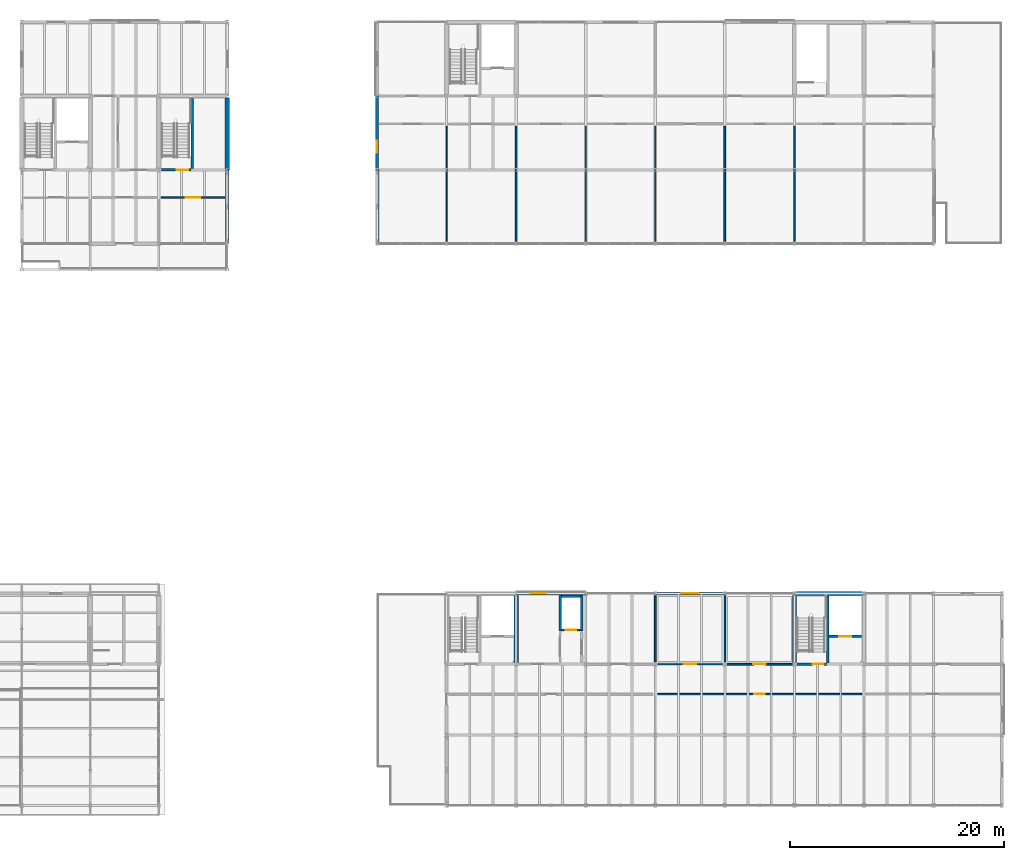
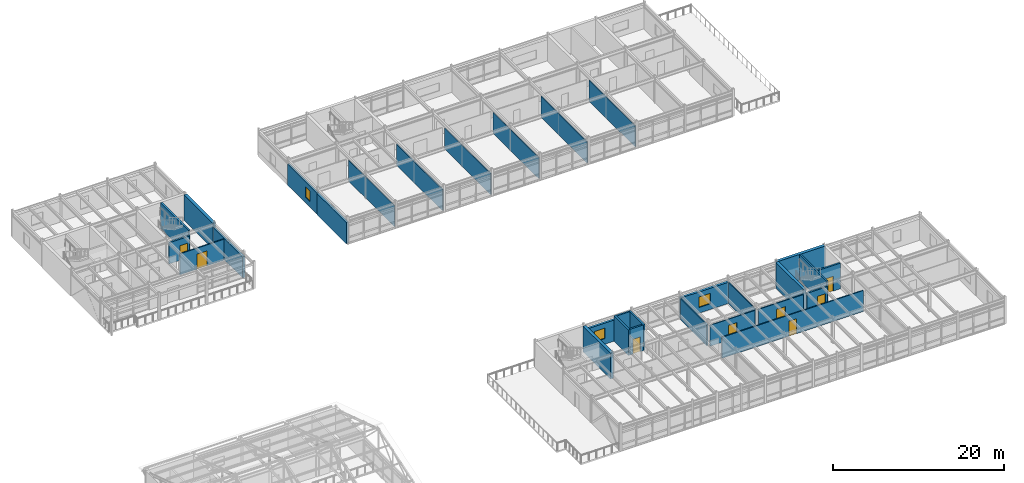
# One storey, part 48 of 57: 30 walls, 8 doors, 3 windows, 11 openings.
"""IFC4 building model written with IfcOpenShell, lengths in metres."""

from ifc_helpers import new_model, si_unit, direction, frame, frame_2d, origin, place, context, subcontext, project, spatial, rectangle, extrude, material, layer, layer_set, type_object, element, fill, save


model = new_model("IFC4")

# Units and contexts
model_context = context("Model", 3, precision=1e-05, world=origin(), true_north=direction((0.0, 1.0)))
body_context = subcontext(model_context, "Body", "Model", "MODEL_VIEW")
ifc_project = project(units=[si_unit("LENGTHUNIT", "METRE"), si_unit("AREAUNIT", "SQUARE_METRE"), si_unit("VOLUMEUNIT", "CUBIC_METRE"), si_unit("PLANEANGLEUNIT", "RADIAN"), si_unit("MASSUNIT", "GRAM", prefix="KILO")], contexts=[model_context])

# Site, building, storey
site_placement = place(None, origin())
site = spatial("IfcSite", under=ifc_project, at=site_placement, CompositionType="ELEMENT")
building_placement = place(site_placement, origin())
building = spatial("IfcBuilding", under=site, at=building_placement, Name="Trelmorton Wharf Fire Station", CompositionType="ELEMENT")
storey_placement = place(building_placement, frame((0.0, 0.0, 13.5)))
storey = spatial("IfcBuildingStorey", under=building, at=storey_placement, Name="L03", CompositionType="ELEMENT", Elevation=13.5)

# Wall, opening, window
ifc_material_1 = material(Name="Precast concrete 45 MPa", Category="concrete")
ifc_layer_1 = layer(ifc_material_1, 0.25)
ifc_layer_set_1 = layer_set([ifc_layer_1], Name="Precast concrete 45 MPa")
wall_type_1 = type_object("IfcWallType", Name="EW_PREC_250", PredefinedType="SOLIDWALL", material=ifc_layer_set_1)
wall_1_placement = place(storey_placement, frame((104.0, 67.205078125, 0.0), z_axis=(0.0, 0.0, 1.0), x_axis=(0.0, 1.0, 0.0)))
wall_1 = element("IfcWall", 1, at=wall_1_placement, inside=storey, type_object=wall_type_1, Name="EW-V4-L03-0241", PredefinedType="SOLIDWALL", context=body_context, shape_type="SweptSolid", body=[
    extrude(rectangle(XDim=6.889892578125, YDim=0.25, at=frame_2d((3.44482421875, 0.0))), origin(), (0.0, 0.0, 1.0), 3.02001953125),
])
opening_1_placement = place(wall_1_placement, frame((1.612548828125, 0.0, 0.800048828125)))
opening_1 = element("IfcOpeningElement", 2, at=opening_1_placement, cuts=wall_1, Name="Opening W33", PredefinedType="OPENING", context=body_context, shape_type="SweptSolid", body=[
    extrude(rectangle(XDim=1.10009765625, YDim=1.5, at=frame_2d((0.550048828125, 0.75))), frame((0.0, 0.135009765625, 0.0), z_axis=(0.0, -1.0, 0.0), x_axis=(1.0, 0.0, 0.0)), (0.0, 0.0, 1.0), 0.27001953125),
])
ifc_material_2 = material(Name="Tempered low-E double glazing", Category="glass")
window_type_1 = type_object("IfcWindowType", Name="WIN_W33", PartitioningType="SINGLE_PANEL", PredefinedType="WINDOW", material=ifc_material_2)
window_1_placement = place(opening_1_placement, origin())
window_1 = element("IfcWindow", 3, at=window_1_placement, inside=storey, type_object=window_type_1, Name="WN-V4-L03-0140", OverallHeight=1.5, OverallWidth=1.10009765625, PartitioningType="SINGLE_PANEL", PredefinedType="WINDOW", context=body_context, shape_type="SweptSolid", body=[
    extrude(rectangle(XDim=1.10009765625, YDim=1.5, at=frame_2d((0.550048828125, 0.75))), frame((0.0, 0.030029296875, 0.0), z_axis=(0.0, -1.0, 0.0), x_axis=(1.0, 0.0, 0.0)), (0.0, 0.0, 1.0), 0.06005859375),
])
fill(opening_1, window_1)

ifc_layer_2 = layer(ifc_material_1, 0.2900390625)
ifc_layer_set_2 = layer_set([ifc_layer_2], Name="Precast concrete 45 MPa")
wall_type_2 = type_object("IfcWallType", Name="EW_TERR_290", PredefinedType="SOLIDWALL", material=ifc_layer_set_2)
wall_2_placement = place(storey_placement, frame((117.0048828125, 27.60009765625, 0.0), z_axis=(0.0, 0.0, 1.0), x_axis=(1.0, 0.0, 0.0)))
wall_2 = element("IfcWall", 4, at=wall_2_placement, inside=storey, type_object=wall_type_2, Name="EW-V5-L03-0099", PredefinedType="SOLIDWALL", context=body_context, shape_type="SweptSolid", body=[
    extrude(rectangle(XDim=6.490234375, YDim=0.2900390625, at=frame_2d((3.2451171875, 0.0))), origin(), (0.0, 0.0, 1.0), 3.02001953125),
])
opening_2_placement = place(wall_2_placement, frame((1.367431640625, 0.0, 0.800048828125)))
opening_2 = element("IfcOpeningElement", 5, at=opening_2_placement, cuts=wall_2, Name="Opening W35", PredefinedType="OPENING", context=body_context, shape_type="SweptSolid", body=[
    extrude(rectangle(XDim=1.39990234375, YDim=1.5, at=frame_2d((0.699951171875, 0.75))), frame((0.0, 0.155029296875, 0.0), z_axis=(0.0, -1.0, 0.0), x_axis=(1.0, 0.0, 0.0)), (0.0, 0.0, 1.0), 0.31005859375),
])
window_type_2 = type_object("IfcWindowType", Name="WIN_W35", PartitioningType="SINGLE_PANEL", PredefinedType="WINDOW", material=ifc_material_2)
window_2_placement = place(opening_2_placement, origin())
window_2 = element("IfcWindow", 6, at=window_2_placement, inside=storey, type_object=window_type_2, Name="WN-V5-L03-0049", OverallHeight=1.5, OverallWidth=1.39990234375, PartitioningType="SINGLE_PANEL", PredefinedType="WINDOW", context=body_context, shape_type="SweptSolid", body=[
    extrude(rectangle(XDim=1.39990234375, YDim=1.5, at=frame_2d((0.699951171875, 0.75))), frame((0.0, 0.030029296875, 0.0), z_axis=(0.0, -1.0, 0.0), x_axis=(1.0, 0.0, 0.0)), (0.0, 0.0, 1.0), 0.06005859375),
])
fill(opening_2, window_2)

# Wall
wall_3_placement = place(storey_placement, frame((90.0, 67.195068359375, 0.0), z_axis=(0.0, 0.0, 1.0), x_axis=(0.0, -1.0, 0.0)))
element("IfcWall", 7, at=wall_3_placement, inside=storey, type_object=wall_type_2, Name="EW-V2-L03-0183", PredefinedType="SOLIDWALL", context=body_context, shape_type="SweptSolid", body=[
    extrude(rectangle(XDim=6.89013671875, YDim=0.2900390625, at=frame_2d((3.445068359375, 0.0))), origin(), (0.0, 0.0, 1.0), 3.02001953125),
])

# Wall, opening, window
ifc_layer_3 = layer(ifc_material_1, 0.31005859375)
ifc_layer_set_3 = layer_set([ifc_layer_3], Name="Precast concrete 45 MPa")
wall_type_3 = type_object("IfcWallType", Name="EW_TERR_310", PredefinedType="SOLIDWALL", material=ifc_layer_set_3)
wall_4_placement = place(storey_placement, frame((130.0048828125, 27.60009765625, 0.0), z_axis=(0.0, 0.0, 1.0), x_axis=(1.0, 0.0, 0.0)))
wall_4 = element("IfcWall", 8, at=wall_4_placement, inside=storey, type_object=wall_type_3, Name="EW-V5-L03-0100", PredefinedType="SOLIDWALL", context=body_context, shape_type="SweptSolid", body=[
    extrude(rectangle(XDim=6.490234375, YDim=0.31005859375, at=frame_2d((3.2451171875, 0.0))), origin(), (0.0, 0.0, 1.0), 3.02001953125),
])
opening_3_placement = place(wall_4_placement, frame((2.469970703125, 0.0, 0.800048828125)))
opening_3 = element("IfcOpeningElement", 9, at=opening_3_placement, cuts=wall_4, Name="Opening W36", PredefinedType="OPENING", context=body_context, shape_type="SweptSolid", body=[
    extrude(rectangle(XDim=1.550048828125, YDim=1.5, at=frame_2d((0.77490234375, 0.75))), frame((0.0, 0.1650390625, 0.0), z_axis=(0.0, -1.0, 0.0), x_axis=(1.0, 0.0, 0.0)), (0.0, 0.0, 1.0), 0.330078125),
])
window_type_3 = type_object("IfcWindowType", Name="WIN_W36", PartitioningType="SINGLE_PANEL", PredefinedType="WINDOW", material=ifc_material_2)
window_3_placement = place(opening_3_placement, origin())
window_3 = element("IfcWindow", 10, at=window_3_placement, inside=storey, type_object=window_type_3, Name="WN-V5-L03-0050", OverallHeight=1.5, OverallWidth=1.550048828125, PartitioningType="SINGLE_PANEL", PredefinedType="WINDOW", context=body_context, shape_type="SweptSolid", body=[
    extrude(rectangle(XDim=1.550048828125, YDim=1.5, at=frame_2d((0.77490234375, 0.75))), frame((0.0, 0.030029296875, 0.0), z_axis=(0.0, -1.0, 0.0), x_axis=(1.0, 0.0, 0.0)), (0.0, 0.0, 1.0), 0.06005859375),
])
fill(opening_3, window_3)

# Wall
ifc_layer_4 = layer(ifc_material_1, 0.330078125)
ifc_layer_set_4 = layer_set([ifc_layer_4], Name="Precast concrete 45 MPa")
wall_type_4 = type_object("IfcWallType", Name="EW_TERR_330", PredefinedType="SOLIDWALL", material=ifc_layer_set_4)
wall_5_placement = place(storey_placement, frame((104.0, 60.304931640625, 0.0), z_axis=(0.0, 0.0, 1.0), x_axis=(0.0, 1.0, 0.0)))
element("IfcWall", 11, at=wall_5_placement, inside=storey, type_object=wall_type_4, Name="EW-V4-L03-0239", PredefinedType="SOLIDWALL", context=body_context, shape_type="SweptSolid", body=[
    extrude(rectangle(XDim=6.89013671875, YDim=0.330078125, at=frame_2d((3.445068359375, 0.0))), origin(), (0.0, 0.0, 1.0), 3.02001953125),
])

# Wall, opening, door
ifc_material_3 = material(Name="Gypsum plasterboard partition")
ifc_layer_5 = layer(ifc_material_3, 0.14990234375)
ifc_layer_set_5 = layer_set([ifc_layer_5], Name="Gypsum plasterboard partition")
wall_type_5 = type_object("IfcWallType", Name="IW_ACOU_150", PredefinedType="PARTITIONING", material=ifc_layer_set_5)
wall_6_placement = place(storey_placement, frame((83.820068359375, 64.60009765625, 0.0), z_axis=(0.0, 0.0, 1.0), x_axis=(1.0, 0.0, 0.0)))
wall_6 = element("IfcWall", 12, at=wall_6_placement, inside=storey, type_object=wall_type_5, Name="IW-L03-0198", PredefinedType="PARTITIONING", context=body_context, shape_type="SweptSolid", body=[
    extrude(rectangle(XDim=5.9599609375, YDim=0.14990234375, at=frame_2d((2.97998046875, 0.0))), origin(), (0.0, 0.0, 1.0), 3.0),
])
opening_4_placement = place(wall_6_placement, frame((2.300048828125, 0.0, 0.0)))
opening_4 = element("IfcOpeningElement", 13, at=opening_4_placement, cuts=wall_6, Name="Opening D-134", PredefinedType="OPENING", context=body_context, shape_type="SweptSolid", body=[
    extrude(rectangle(XDim=1.360107421875, YDim=2.14990234375, at=frame_2d((0.68017578125, 1.074951171875))), frame((0.0, 0.0849609375, 0.0), z_axis=(0.0, -1.0, 0.0), x_axis=(1.0, 0.0, 0.0)), (0.0, 0.0, 1.0), 0.169921875),
])
ifc_material_4 = material(Name="Acoustic timber panelling", Category="wood")
door_type_1 = type_object("IfcDoorType", Name="DR_INT_136", OperationType="DOUBLE_DOOR_SINGLE_SWING", PredefinedType="DOOR", material=ifc_material_4)
door_1_placement = place(opening_4_placement, origin())
door_1 = element("IfcDoor", 14, at=door_1_placement, inside=storey, type_object=door_type_1, Name="Interior Door D-134", OperationType="DOUBLE_DOOR_SINGLE_SWING", OverallHeight=2.14990234375, OverallWidth=1.360107421875, PredefinedType="DOOR", context=body_context, shape_type="SweptSolid", body=[
    extrude(rectangle(XDim=1.360107421875, YDim=2.14990234375, at=frame_2d((0.68017578125, 1.074951171875))), frame((0.0, 0.02490234375, 0.0), z_axis=(0.0, -1.0, 0.0), x_axis=(1.0, 0.0, 0.0)), (0.0, 0.0, 1.0), 0.050048828125),
])
fill(opening_4, door_1)

# Wall
wall_7_placement = place(storey_placement, frame((117.0, 60.52001953125, 0.0), z_axis=(0.0, 0.0, 1.0), x_axis=(0.0, 1.0, 0.0)))
element("IfcWall", 15, at=wall_7_placement, inside=storey, type_object=wall_type_5, Name="IW-L03-0205", PredefinedType="PARTITIONING", context=body_context, shape_type="SweptSolid", body=[
    extrude(rectangle(XDim=10.760009765625, YDim=0.14990234375, at=frame_2d((5.3798828125, 0.0))), origin(), (0.0, 0.0, 1.0), 3.0),
])

# Wall, opening, door
ifc_layer_6 = layer(ifc_material_3, 0.159912109375)
ifc_layer_set_6 = layer_set([ifc_layer_6], Name="Gypsum plasterboard partition")
wall_type_6 = type_object("IfcWallType", Name="IW_ACOU_160", PredefinedType="PARTITIONING", material=ifc_layer_set_6)
wall_8_placement = place(storey_placement, frame((136.719970703125, 21.0, 0.0), z_axis=(0.0, 0.0, 1.0), x_axis=(1.0, 0.0, 0.0)))
wall_8 = element("IfcWall", 16, at=wall_8_placement, inside=storey, type_object=wall_type_6, Name="IW-L03-0190", PredefinedType="PARTITIONING", context=body_context, shape_type="SweptSolid", body=[
    extrude(rectangle(XDim=6.06005859375, YDim=0.159912109375, at=frame_2d((3.030029296875, 0.0))), origin(), (0.0, 0.0, 1.0), 3.0),
])
opening_5_placement = place(wall_8_placement, frame((2.43505859375, 0.0, 0.0)))
opening_5 = element("IfcOpeningElement", 17, at=opening_5_placement, cuts=wall_8, Name="Opening D-130", PredefinedType="OPENING", context=body_context, shape_type="SweptSolid", body=[
    extrude(rectangle(XDim=1.18994140625, YDim=2.139892578125, at=frame_2d((0.594970703125, 1.06982421875))), frame((0.0, 0.08984375, 0.0), z_axis=(0.0, -1.0, 0.0), x_axis=(1.0, 0.0, 0.0)), (0.0, 0.0, 1.0), 0.179931640625),
])
door_type_2 = type_object("IfcDoorType", Name="DR_INT_119", OperationType="NOTDEFINED", PredefinedType="DOOR", material=ifc_material_4)
door_2_placement = place(opening_5_placement, origin())
door_2 = element("IfcDoor", 18, at=door_2_placement, inside=storey, type_object=door_type_2, Name="Interior Door D-130", OperationType="SINGLE_SWING_RIGHT", OverallHeight=2.139892578125, OverallWidth=1.18994140625, PredefinedType="DOOR", context=body_context, shape_type="SweptSolid", body=[
    extrude(rectangle(XDim=1.18994140625, YDim=2.139892578125, at=frame_2d((0.594970703125, 1.06982421875))), frame((0.0, 0.02490234375, 0.0), z_axis=(0.0, -1.0, 0.0), x_axis=(1.0, 0.0, 0.0)), (0.0, 0.0, 1.0), 0.050048828125),
])
fill(opening_5, door_2)

# Walls
wall_9_placement = place(storey_placement, frame((136.5, 60.52001953125, 0.0), z_axis=(0.0, 0.0, 1.0), x_axis=(0.0, 1.0, 0.0)))
element("IfcWall", 19, at=wall_9_placement, inside=storey, type_object=wall_type_6, Name="IW-L03-0211", PredefinedType="PARTITIONING", context=body_context, shape_type="SweptSolid", body=[
    extrude(rectangle(XDim=10.760009765625, YDim=0.159912109375, at=frame_2d((5.3798828125, 0.0))), origin(), (0.0, 0.0, 1.0), 3.0),
])
ifc_material_5 = material(Name="Concrete 40 MPa", Category="concrete")
ifc_layer_7 = layer(ifc_material_5, 0.219970703125)
ifc_layer_set_7 = layer_set([ifc_layer_7], Name="Concrete 40 MPa")
wall_type_7 = type_object("IfcWallType", Name="IW_CORE_220", PredefinedType="SOLIDWALL", material=ifc_layer_set_7)
for number, where, z_axis, x_axis, name in (
    (20, (121.110107421875, 24.090087890625, 0.0), (0.0, 0.0, 1.0), (0.0, 1.0, 0.0), "IW-LF3-W-L03"),
    (21, (123.1298828125, 24.090087890625, 0.0), (0.0, 0.0, 1.0), (0.0, 1.0, 0.0), "IW-LF3-E-L03"),
):
    element("IfcWall", number, at=place(storey_placement, frame(where, z_axis=z_axis, x_axis=x_axis)), inside=storey, type_object=wall_type_7, Name=name, PredefinedType="SOLIDWALL", context=body_context, shape_type="SweptSolid", body=[
        extrude(rectangle(XDim=3.35986328125, YDim=0.219970703125, at=frame_2d((1.679931640625, 0.0))), origin(), (0.0, 0.0, 1.0), 3.659912109375),
    ])
wall_10_placement = place(storey_placement, frame((121.219970703125, 27.340087890625, 0.0), z_axis=(0.0, 0.0, 1.0), x_axis=(1.0, 0.0, 0.0)))
element("IfcWall", 22, at=wall_10_placement, inside=storey, type_object=wall_type_7, Name="IW-LF3-N-L03", PredefinedType="SOLIDWALL", context=body_context, shape_type="SweptSolid", body=[
    extrude(rectangle(XDim=1.800048828125, YDim=0.219970703125, at=frame_2d((0.89990234375, 0.0))), origin(), (0.0, 0.0, 1.0), 3.659912109375),
])

# Wall, opening, door
wall_11_placement = place(storey_placement, frame((121.219970703125, 24.199951171875, 0.0), z_axis=(0.0, 0.0, 1.0), x_axis=(1.0, 0.0, 0.0)))
wall_11 = element("IfcWall", 23, at=wall_11_placement, inside=storey, type_object=wall_type_7, Name="IW-LF3-S-L03", PredefinedType="SOLIDWALL", context=body_context, shape_type="SweptSolid", body=[
    extrude(rectangle(XDim=1.800048828125, YDim=0.219970703125, at=frame_2d((0.89990234375, 0.0))), origin(), (0.0, 0.0, 1.0), 3.659912109375),
])
opening_6_placement = place(wall_11_placement, frame((0.39990234375, 0.0, 0.0)))
opening_6 = element("IfcOpeningElement", 24, at=opening_6_placement, cuts=wall_11, Name="Opening LD-012", PredefinedType="OPENING", context=body_context, shape_type="SweptSolid", body=[
    extrude(rectangle(XDim=1.0, YDim=2.10009765625, at=frame_2d((0.5, 1.050048828125))), frame((0.0, 0.1201171875, 0.0), z_axis=(0.0, -1.0, 0.0), x_axis=(1.0, 0.0, 0.0)), (0.0, 0.0, 1.0), 0.239990234375),
])
ifc_material_6 = material(Name="Stainless steel 316 marine grade", Category="steel")
door_type_3 = type_object("IfcDoorType", Name="DR_LIFT_100", OperationType="DOUBLE_DOOR_SLIDING", PredefinedType="DOOR", material=ifc_material_6)
door_3_placement = place(opening_6_placement, origin())
door_3 = element("IfcDoor", 25, at=door_3_placement, inside=storey, type_object=door_type_3, Name="Lift Landing Door LD-012", OperationType="DOUBLE_DOOR_SLIDING", OverallHeight=2.10009765625, OverallWidth=1.0, PredefinedType="DOOR", context=body_context, shape_type="SweptSolid", body=[
    extrude(rectangle(XDim=1.0, YDim=2.10009765625, at=frame_2d((0.5, 1.050048828125))), frame((0.0, 0.02490234375, 0.0), z_axis=(0.0, -1.0, 0.0), x_axis=(1.0, 0.0, 0.0)), (0.0, 0.0, 1.0), 0.050048828125),
])
fill(opening_6, door_3)

# Wall
wall_12_placement = place(storey_placement, frame((146.1201171875, 21.1201171875, 0.0), z_axis=(0.0, 0.0, 1.0), x_axis=(0.0, 1.0, 0.0)))
element("IfcWall", 26, at=wall_12_placement, inside=storey, type_object=wall_type_7, Name="IW-C4-DIV-L03", PredefinedType="SOLIDWALL", context=body_context, shape_type="SweptSolid", body=[
    extrude(rectangle(XDim=6.2548828125, YDim=0.219970703125, at=frame_2d((3.12744140625, 0.0))), origin(), (0.0, 0.0, 1.0), 3.659912109375),
])

# Wall, opening, door
wall_13_placement = place(storey_placement, frame((143.260009765625, 21.0, 0.0), z_axis=(0.0, 0.0, 1.0), x_axis=(1.0, 0.0, 0.0)))
wall_13 = element("IfcWall", 27, at=wall_13_placement, inside=storey, type_object=wall_type_7, Name="IW-C4-SF-L03", PredefinedType="SOLIDWALL", context=body_context, shape_type="SweptSolid", body=[
    extrude(rectangle(XDim=2.739990234375, YDim=0.219970703125, at=frame_2d((1.3701171875, 0.0))), origin(), (0.0, 0.0, 1.0), 3.02001953125),
])
opening_7_placement = place(wall_13_placement, frame((1.43994140625, 0.0, 0.0)))
opening_7 = element("IfcOpeningElement", 28, at=opening_7_placement, cuts=wall_13, Name="Opening FD-020", PredefinedType="OPENING", context=body_context, shape_type="SweptSolid", body=[
    extrude(rectangle(XDim=1.06005859375, YDim=2.10009765625, at=frame_2d((0.530029296875, 1.050048828125))), frame((0.0, 0.1201171875, 0.0), z_axis=(0.0, -1.0, 0.0), x_axis=(1.0, 0.0, 0.0)), (0.0, 0.0, 1.0), 0.239990234375),
])
door_type_4 = type_object("IfcDoorType", Name="DR_FIRE_106", OperationType="NOTDEFINED", PredefinedType="DOOR", material=ifc_material_6)
door_4_placement = place(opening_7_placement, origin())
door_4 = element("IfcDoor", 29, at=door_4_placement, inside=storey, type_object=door_type_4, Name="Stair Fire Door FD-020", OperationType="SINGLE_SWING_RIGHT", OverallHeight=2.10009765625, OverallWidth=1.06005859375, PredefinedType="DOOR", context=body_context, shape_type="SweptSolid", body=[
    extrude(rectangle(XDim=1.06005859375, YDim=2.10009765625, at=frame_2d((0.530029296875, 1.050048828125))), frame((0.0, 0.02490234375, 0.0), z_axis=(0.0, -1.0, 0.0), x_axis=(1.0, 0.0, 0.0)), (0.0, 0.0, 1.0), 0.050048828125),
])
fill(opening_7, door_4)

wall_14_placement = place(storey_placement, frame((146.239990234375, 23.60009765625, 0.0), z_axis=(0.0, 0.0, 1.0), x_axis=(1.0, 0.0, 0.0)))
wall_14 = element("IfcWall", 30, at=wall_14_placement, inside=storey, type_object=wall_type_7, Name="IW-C4-LSH-L03", PredefinedType="SOLIDWALL", context=body_context, shape_type="SweptSolid", body=[
    extrude(rectangle(XDim=3.034912109375, YDim=0.219970703125, at=frame_2d((1.517578125, 0.0))), origin(), (0.0, 0.0, 1.0), 3.659912109375),
])
opening_8_placement = place(wall_14_placement, frame((0.967529296875, 0.0, 0.0)))
opening_8 = element("IfcOpeningElement", 31, at=opening_8_placement, cuts=wall_14, Name="Opening LD-020", PredefinedType="OPENING", context=body_context, shape_type="SweptSolid", body=[
    extrude(rectangle(XDim=1.10009765625, YDim=2.10009765625, at=frame_2d((0.550048828125, 1.050048828125))), frame((0.0, 0.1201171875, 0.0), z_axis=(0.0, -1.0, 0.0), x_axis=(1.0, 0.0, 0.0)), (0.0, 0.0, 1.0), 0.239990234375),
])
door_type_5 = type_object("IfcDoorType", Name="DR_LIFT_110", OperationType="DOUBLE_DOOR_SLIDING", PredefinedType="DOOR", material=ifc_material_6)
door_5_placement = place(opening_8_placement, origin())
door_5 = element("IfcDoor", 32, at=door_5_placement, inside=storey, type_object=door_type_5, Name="Lift Landing Door LD-020", OperationType="DOUBLE_DOOR_SLIDING", OverallHeight=2.10009765625, OverallWidth=1.10009765625, PredefinedType="DOOR", context=body_context, shape_type="SweptSolid", body=[
    extrude(rectangle(XDim=1.10009765625, YDim=2.10009765625, at=frame_2d((0.550048828125, 1.050048828125))), frame((0.0, 0.02490234375, 0.0), z_axis=(0.0, -1.0, 0.0), x_axis=(1.0, 0.0, 0.0)), (0.0, 0.0, 1.0), 0.050048828125),
])
fill(opening_8, door_5)

# Wall
wall_15_placement = place(storey_placement, frame((86.719970703125, 67.320068359375, 0.0), z_axis=(0.0, 0.0, 1.0), x_axis=(0.0, 1.0, 0.0)))
element("IfcWall", 33, at=wall_15_placement, inside=storey, type_object=wall_type_7, Name="IW-C6B-DIV-L03", PredefinedType="SOLIDWALL", context=body_context, shape_type="SweptSolid", body=[
    extrude(rectangle(XDim=6.554931640625, YDim=0.219970703125, at=frame_2d((3.27734375, 0.0))), origin(), (0.0, 0.0, 1.0), 3.659912109375),
])

# Wall, opening, door
wall_16_placement = place(storey_placement, frame((83.860107421875, 67.199951171875, 0.0), z_axis=(0.0, 0.0, 1.0), x_axis=(1.0, 0.0, 0.0)))
wall_16 = element("IfcWall", 34, at=wall_16_placement, inside=storey, type_object=wall_type_7, Name="IW-C6B-SF-L03", PredefinedType="SOLIDWALL", context=body_context, shape_type="SweptSolid", body=[
    extrude(rectangle(XDim=2.739990234375, YDim=0.219970703125, at=frame_2d((1.3701171875, 0.0))), origin(), (0.0, 0.0, 1.0), 3.02001953125),
])
opening_9_placement = place(wall_16_placement, frame((1.43994140625, 0.0, 0.0)))
opening_9 = element("IfcOpeningElement", 35, at=opening_9_placement, cuts=wall_16, Name="Opening FD-038", PredefinedType="OPENING", context=body_context, shape_type="SweptSolid", body=[
    extrude(rectangle(XDim=1.06005859375, YDim=2.10009765625, at=frame_2d((0.530029296875, 1.050048828125))), frame((0.0, 0.1201171875, 0.0), z_axis=(0.0, -1.0, 0.0), x_axis=(1.0, 0.0, 0.0)), (0.0, 0.0, 1.0), 0.239990234375),
])
door_6_placement = place(opening_9_placement, origin())
door_6 = element("IfcDoor", 36, at=door_6_placement, inside=storey, type_object=door_type_4, Name="Stair Fire Door FD-038", OperationType="SINGLE_SWING_RIGHT", OverallHeight=2.10009765625, OverallWidth=1.06005859375, PredefinedType="DOOR", context=body_context, shape_type="SweptSolid", body=[
    extrude(rectangle(XDim=1.06005859375, YDim=2.10009765625, at=frame_2d((0.530029296875, 1.050048828125))), frame((0.0, 0.02490234375, 0.0), z_axis=(0.0, -1.0, 0.0), x_axis=(1.0, 0.0, 0.0)), (0.0, 0.0, 1.0), 0.050048828125),
])
fill(opening_9, door_6)

# Wall
ifc_layer_8 = layer(ifc_material_1, 0.169921875)
ifc_layer_set_8 = layer_set([ifc_layer_8], Name="Precast concrete 45 MPa")
wall_type_8 = type_object("IfcWallType", Name="IW_FIRE_170", PredefinedType="PARTITIONING", material=ifc_layer_set_8)
wall_17_placement = place(storey_placement, frame((130.0, 21.219970703125, 0.0), z_axis=(0.0, 0.0, 1.0), x_axis=(0.0, 1.0, 0.0)))
element("IfcWall", 37, at=wall_17_placement, inside=storey, type_object=wall_type_8, Name="IW-L03-0192", PredefinedType="PARTITIONING", context=body_context, shape_type="SweptSolid", body=[
    extrude(rectangle(XDim=6.159912109375, YDim=0.169921875, at=frame_2d((3.080078125, 0.0))), origin(), (0.0, 0.0, 1.0), 3.0),
])

# Wall, opening, door
ifc_layer_9 = layer(ifc_material_3, 0.10009765625)
ifc_layer_set_9 = layer_set([ifc_layer_9], Name="Gypsum plasterboard partition")
wall_type_9 = type_object("IfcWallType", Name="IW_PART_100", PredefinedType="PARTITIONING", material=ifc_layer_set_9)
wall_18_placement = place(storey_placement, frame((130.219970703125, 21.0, 0.0), z_axis=(0.0, 0.0, 1.0), x_axis=(1.0, 0.0, 0.0)))
wall_18 = element("IfcWall", 38, at=wall_18_placement, inside=storey, type_object=wall_type_9, Name="IW-L03-0189", PredefinedType="PARTITIONING", context=body_context, shape_type="SweptSolid", body=[
    extrude(rectangle(XDim=6.06005859375, YDim=0.10009765625, at=frame_2d((3.030029296875, 0.0))), origin(), (0.0, 0.0, 1.0), 3.0),
])
opening_10_placement = place(wall_18_placement, frame((2.455078125, 0.0, 0.0)))
opening_10 = element("IfcOpeningElement", 39, at=opening_10_placement, cuts=wall_18, Name="Opening D-129", PredefinedType="OPENING", context=body_context, shape_type="SweptSolid", body=[
    extrude(rectangle(XDim=1.14990234375, YDim=2.1201171875, at=frame_2d((0.574951171875, 1.06005859375))), frame((0.0, 0.06005859375, 0.0), z_axis=(0.0, -1.0, 0.0), x_axis=(1.0, 0.0, 0.0)), (0.0, 0.0, 1.0), 0.1201171875),
])
door_type_6 = type_object("IfcDoorType", Name="DR_INT_115", OperationType="NOTDEFINED", PredefinedType="DOOR", material=ifc_material_4)
door_7_placement = place(opening_10_placement, origin())
door_7 = element("IfcDoor", 40, at=door_7_placement, inside=storey, type_object=door_type_6, Name="Interior Door D-129", OperationType="SINGLE_SWING_LEFT", OverallHeight=2.1201171875, OverallWidth=1.14990234375, PredefinedType="DOOR", context=body_context, shape_type="SweptSolid", body=[
    extrude(rectangle(XDim=1.14990234375, YDim=2.1201171875, at=frame_2d((0.574951171875, 1.06005859375))), frame((0.0, 0.02490234375, 0.0), z_axis=(0.0, -1.0, 0.0), x_axis=(1.0, 0.0, 0.0)), (0.0, 0.0, 1.0), 0.050048828125),
])
fill(opening_10, door_7)

# Walls
wall_19_placement = place(storey_placement, frame((110.5, 60.52001953125, 0.0), z_axis=(0.0, 0.0, 1.0), x_axis=(0.0, 1.0, 0.0)))
element("IfcWall", 41, at=wall_19_placement, inside=storey, type_object=wall_type_9, Name="IW-L03-0203", PredefinedType="PARTITIONING", context=body_context, shape_type="SweptSolid", body=[
    extrude(rectangle(XDim=10.760009765625, YDim=0.10009765625, at=frame_2d((5.3798828125, 0.0))), origin(), (0.0, 0.0, 1.0), 3.0),
])
ifc_layer_10 = layer(ifc_material_3, 0.110107421875)
ifc_layer_set_10 = layer_set([ifc_layer_10], Name="Gypsum plasterboard partition")
wall_type_10 = type_object("IfcWallType", Name="IW_PART_110", PredefinedType="PARTITIONING", material=ifc_layer_set_10)
wall_20_placement = place(storey_placement, frame((130.0, 60.52001953125, 0.0), z_axis=(0.0, 0.0, 1.0), x_axis=(0.0, 1.0, 0.0)))
element("IfcWall", 42, at=wall_20_placement, inside=storey, type_object=wall_type_10, Name="IW-L03-0209", PredefinedType="PARTITIONING", context=body_context, shape_type="SweptSolid", body=[
    extrude(rectangle(XDim=10.760009765625, YDim=0.110107421875, at=frame_2d((5.3798828125, 0.0))), origin(), (0.0, 0.0, 1.0), 3.0),
])
ifc_layer_11 = layer(ifc_material_3, 0.1298828125)
ifc_layer_set_11 = layer_set([ifc_layer_11], Name="Gypsum plasterboard partition")
wall_type_11 = type_object("IfcWallType", Name="IW_PART_130", PredefinedType="PARTITIONING", material=ifc_layer_set_11)
wall_21_placement = place(storey_placement, frame((136.5, 21.219970703125, 0.0), z_axis=(0.0, 0.0, 1.0), x_axis=(0.0, 1.0, 0.0)))
element("IfcWall", 43, at=wall_21_placement, inside=storey, type_object=wall_type_11, Name="IW-L03-0193", PredefinedType="PARTITIONING", context=body_context, shape_type="SweptSolid", body=[
    extrude(rectangle(XDim=6.159912109375, YDim=0.1298828125, at=frame_2d((3.080078125, 0.0))), origin(), (0.0, 0.0, 1.0), 3.0),
])
wall_22_placement = place(storey_placement, frame((123.5, 60.52001953125, 0.0), z_axis=(0.0, 0.0, 1.0), x_axis=(0.0, 1.0, 0.0)))
element("IfcWall", 44, at=wall_22_placement, inside=storey, type_object=wall_type_11, Name="IW-L03-0207", PredefinedType="PARTITIONING", context=body_context, shape_type="SweptSolid", body=[
    extrude(rectangle(XDim=10.760009765625, YDim=0.1298828125, at=frame_2d((5.3798828125, 0.0))), origin(), (0.0, 0.0, 1.0), 3.0),
])

# Wall, opening, door
ifc_layer_12 = layer(ifc_material_3, 0.139892578125)
ifc_layer_set_12 = layer_set([ifc_layer_12], Name="Gypsum plasterboard partition")
wall_type_12 = type_object("IfcWallType", Name="IW_PART_140", PredefinedType="PARTITIONING", material=ifc_layer_set_12)
wall_23_placement = place(storey_placement, frame((130.219970703125, 18.199951171875, 0.0), z_axis=(0.0, 0.0, 1.0), x_axis=(1.0, 0.0, 0.0)))
wall_23 = element("IfcWall", 45, at=wall_23_placement, inside=storey, type_object=wall_type_12, Name="IW-L03-0185", PredefinedType="PARTITIONING", context=body_context, shape_type="SweptSolid", body=[
    extrude(rectangle(XDim=19.06005859375, YDim=0.139892578125, at=frame_2d((9.530029296875, 0.0))), origin(), (0.0, 0.0, 1.0), 3.0),
])
opening_11_placement = place(wall_23_placement, frame((9.030029296875, 0.0, 0.0)))
opening_11 = element("IfcOpeningElement", 46, at=opening_11_placement, cuts=wall_23, Name="Opening D-125", PredefinedType="OPENING", context=body_context, shape_type="SweptSolid", body=[
    extrude(rectangle(XDim=1.0, YDim=2.1201171875, at=frame_2d((0.5, 1.06005859375))), frame((0.0, 0.080078125, 0.0), z_axis=(0.0, -1.0, 0.0), x_axis=(1.0, 0.0, 0.0)), (0.0, 0.0, 1.0), 0.159912109375),
])
door_type_7 = type_object("IfcDoorType", Name="DR_INT_100", OperationType="NOTDEFINED", PredefinedType="DOOR", material=ifc_material_4)
door_8_placement = place(opening_11_placement, origin())
door_8 = element("IfcDoor", 47, at=door_8_placement, inside=storey, type_object=door_type_7, Name="Interior Door D-125", OperationType="SINGLE_SWING_LEFT", OverallHeight=2.1201171875, OverallWidth=1.0, PredefinedType="DOOR", context=body_context, shape_type="SweptSolid", body=[
    extrude(rectangle(XDim=1.0, YDim=2.1201171875, at=frame_2d((0.5, 1.06005859375))), frame((0.0, 0.02490234375, 0.0), z_axis=(0.0, -1.0, 0.0), x_axis=(1.0, 0.0, 0.0)), (0.0, 0.0, 1.0), 0.050048828125),
])
fill(opening_11, door_8)

# Walls
wall_24_placement = place(storey_placement, frame((143.0, 60.52001953125, 0.0), z_axis=(0.0, 0.0, 1.0), x_axis=(0.0, 1.0, 0.0)))
element("IfcWall", 48, at=wall_24_placement, inside=storey, type_object=wall_type_12, Name="IW-L03-0213", PredefinedType="PARTITIONING", context=body_context, shape_type="SweptSolid", body=[
    extrude(rectangle(XDim=10.760009765625, YDim=0.139892578125, at=frame_2d((5.3798828125, 0.0))), origin(), (0.0, 0.0, 1.0), 3.0),
])
ifc_material_7 = material(Name="Concrete 50 MPa", Category="concrete")
ifc_layer_13 = layer(ifc_material_7, 0.39990234375)
ifc_layer_set_13 = layer_set([ifc_layer_13], Name="Concrete 50 MPa")
wall_type_13 = type_object("IfcWallType", Name="WL_CORE_400", PredefinedType="SHEAR", material=ifc_layer_set_13)
wall_25_placement = place(storey_placement, frame((117.0, 21.0, 0.0), z_axis=(0.0, 0.0, 1.0), x_axis=(0.0, 1.0, 0.0)))
element("IfcWall", 49, at=wall_25_placement, inside=storey, type_object=wall_type_13, Name="WL-SW-C3-L03-042", PredefinedType="SHEAR", context=body_context, shape_type="SweptSolid", body=[
    extrude(rectangle(XDim=6.39990234375, YDim=0.39990234375, at=frame_2d((3.199951171875, 0.0))), origin(), (0.0, 0.0, 1.0), 3.659912109375),
])
wall_26_placement = place(storey_placement, frame((143.0, 27.60009765625, 0.0), z_axis=(0.0, 0.0, 1.0), x_axis=(1.0, 0.0, 0.0)))
element("IfcWall", 50, at=wall_26_placement, inside=storey, type_object=wall_type_13, Name="WL-SW-C4-L03-058", PredefinedType="SHEAR", context=body_context, shape_type="SweptSolid", body=[
    extrude(rectangle(XDim=6.5, YDim=0.39990234375, at=frame_2d((3.25, 0.0))), origin(), (0.0, 0.0, 1.0), 3.659912109375),
])
wall_27_placement = place(storey_placement, frame((143.0, 21.0, 0.0), z_axis=(0.0, 0.0, 1.0), x_axis=(0.0, 1.0, 0.0)))
element("IfcWall", 51, at=wall_27_placement, inside=storey, type_object=wall_type_13, Name="WL-SW-C4-L03-059", PredefinedType="SHEAR", context=body_context, shape_type="SweptSolid", body=[
    extrude(rectangle(XDim=6.39990234375, YDim=0.39990234375, at=frame_2d((3.199951171875, 0.0))), origin(), (0.0, 0.0, 1.0), 3.659912109375),
])
wall_28_placement = place(storey_placement, frame((90.0, 67.199951171875, 0.0), z_axis=(0.0, 0.0, 1.0), x_axis=(0.0, 1.0, 0.0)))
element("IfcWall", 52, at=wall_28_placement, inside=storey, type_object=wall_type_13, Name="WL-SW-C6B-L03-114", PredefinedType="SHEAR", context=body_context, shape_type="SweptSolid", body=[
    extrude(rectangle(XDim=6.699951171875, YDim=0.39990234375, at=frame_2d((3.35009765625, 0.0))), origin(), (0.0, 0.0, 1.0), 3.659912109375),
])

save(model, "model.ifc")
